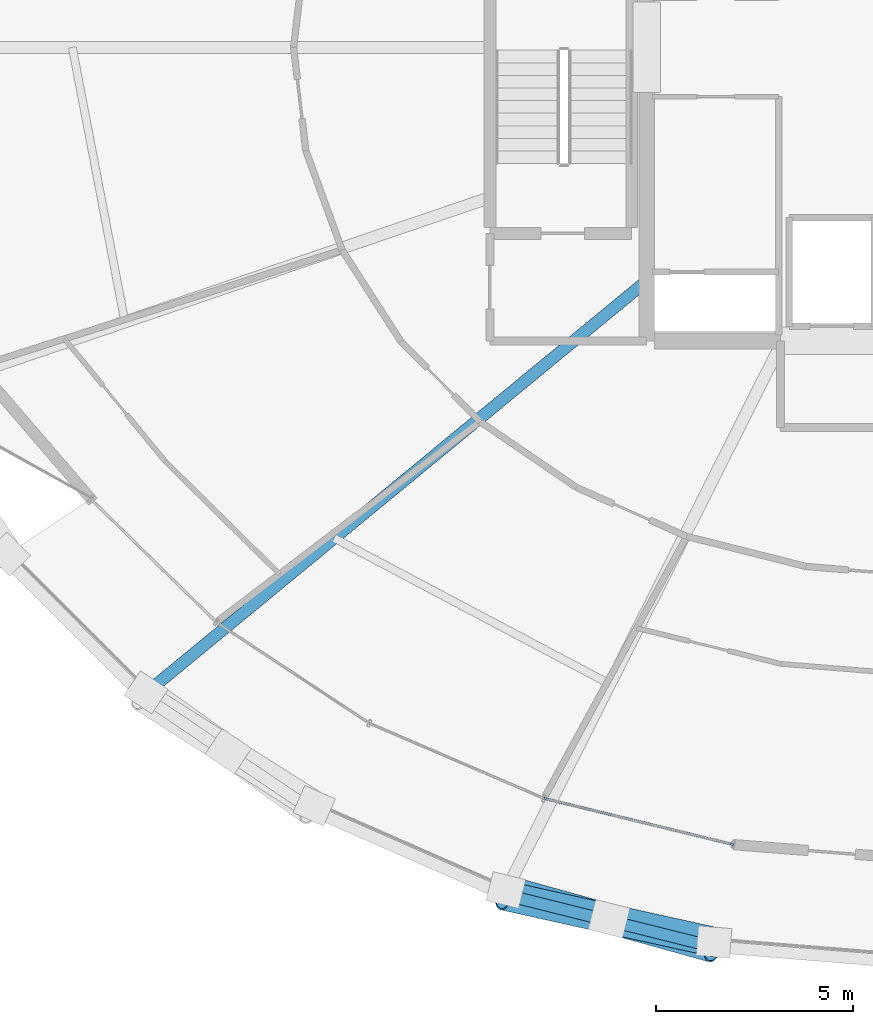
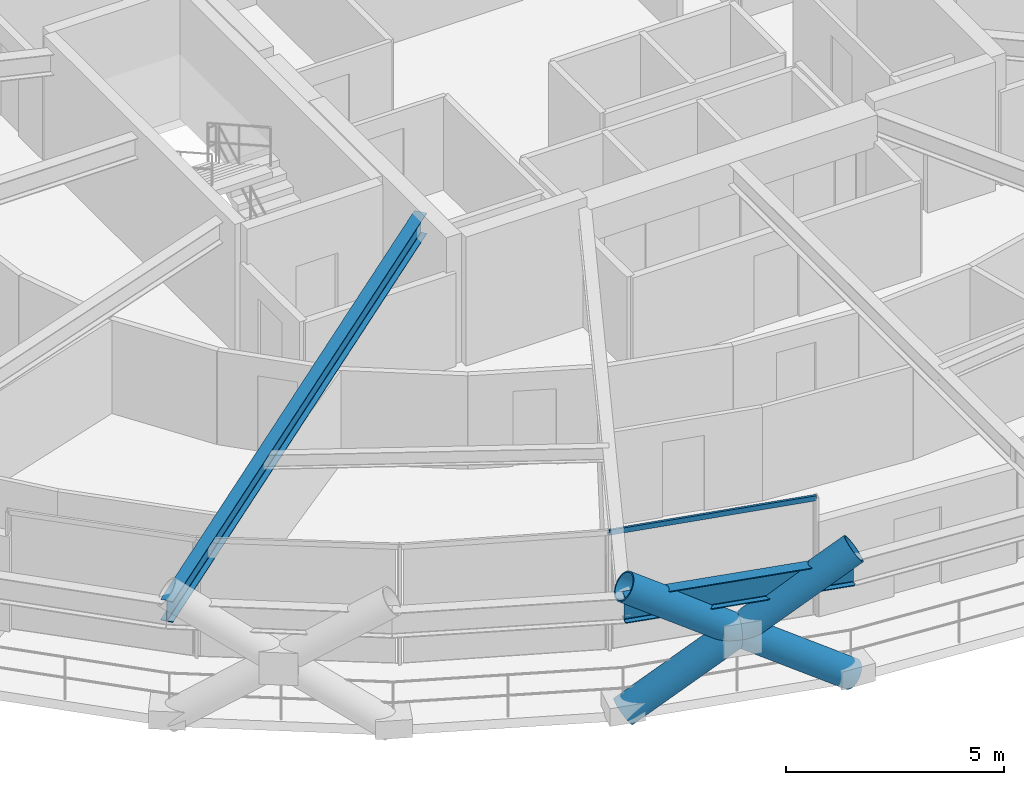
# One storey, part 3 of 19: 4 members, 2 beams, 1 element without a shape of its own.
"""IFC4 building model written with IfcOpenShell, lengths in metres."""

from ifc_helpers import new_model, si_unit, direction, frame, origin, origin_2d, place, context, subcontext, project, spatial, hollow_rectangle, hollow_circle, i_section, extrude, material, layer, layer_set, material_profile, profile_set, type_object, element, aggregate, save


model = new_model("IFC4")

# Units and contexts
model_context = context("Model", 3, precision=1e-05, world=origin(), true_north=direction((0.0, 1.0)))
body_context = subcontext(model_context, "Body", "Model", "MODEL_VIEW")
ifc_project = project(units=[si_unit("LENGTHUNIT", "METRE"), si_unit("AREAUNIT", "SQUARE_METRE"), si_unit("VOLUMEUNIT", "CUBIC_METRE"), si_unit("PLANEANGLEUNIT", "RADIAN"), si_unit("MASSUNIT", "GRAM", prefix="KILO")], contexts=[model_context])

# Site, building, storey
site_placement = place(None, origin())
site = spatial("IfcSite", under=ifc_project, at=site_placement, CompositionType="ELEMENT")
building_placement = place(site_placement, origin())
building = spatial("IfcBuilding", under=site, at=building_placement, Name="Veldorina Hangang Commons", CompositionType="ELEMENT")
storey_placement = place(building_placement, frame((0.0, 0.0, 44.800048828125)))
storey = spatial("IfcBuildingStorey", under=building, at=storey_placement, Name="L10", CompositionType="ELEMENT", Elevation=44.800048828125)

# Beams
ifc_material_1 = material(Name="Steel SM460-TMC", Category="steel")
ifc_material_profile_1 = material_profile(ifc_material_1, i_section(OverallWidth=0.300048828125, OverallDepth=0.587890625, WebThickness=0.011962890625, FlangeThickness=0.02001953125, FilletRadius=0.01806640625, at=origin_2d()), Name="H-588x300x12x20")
ifc_profile_set_1 = profile_set([ifc_material_profile_1], Name="Steel SM460-TMC")
beam_type_1 = type_object("IfcBeamType", Name="BM-FG588", PredefinedType="BEAM", material=ifc_profile_set_1)
beam_1_placement = place(storey_placement, frame((24.800048828125, 18.0732421875, 3.0458984375), z_axis=(-0.772078234701, -0.635527497045, 0.0), x_axis=(0.635527497045, -0.772078234701, 0.0)))
element("IfcBeam", 1, at=beam_1_placement, inside=storey, type_object=beam_type_1, Name="L10 radial floor girder 11", PredefinedType="BEAM", context=body_context, shape_type="SweptSolid", body=[
    extrude(i_section(OverallWidth=0.300048828125, OverallDepth=0.587890625, WebThickness=0.011962890625, FlangeThickness=0.02001953125, FilletRadius=0.01806640625, at=origin_2d()), origin(), (0.0, 0.0, 1.0), 16.568603515625),
])
ifc_material_profile_2 = material_profile(ifc_material_1, i_section(OverallWidth=0.300048828125, OverallDepth=0.699951171875, WebThickness=0.012939453125, FlangeThickness=0.02392578125, FilletRadius=0.02197265625, at=origin_2d()), Name="H-700x300x13x24")
ifc_profile_set_2 = profile_set([ifc_material_profile_2], Name="Steel SM460-TMC")
beam_type_2 = type_object("IfcBeamType", Name="BM-RB700", PredefinedType="BEAM", material=ifc_profile_set_2)
beam_2_placement = place(storey_placement, frame((21.180419921875, 2.49853515625, 2.989990234375), z_axis=(0.970216014854, -0.242241376568, 0.0), x_axis=(0.242241376568, 0.970216014854, 0.0)))
element("IfcBeam", 2, at=beam_2_placement, inside=storey, type_object=beam_type_2, Name="L10 perimeter hoop ring beam 22", PredefinedType="BEAM", context=body_context, shape_type="SweptSolid", body=[
    extrude(i_section(OverallWidth=0.300048828125, OverallDepth=0.699951171875, WebThickness=0.012939453125, FlangeThickness=0.02392578125, FilletRadius=0.02197265625, at=origin_2d()), origin(), (0.0, 0.0, 1.0), 5.466552734375),
])

# Curtain wall, member
ifc_material_2 = material(Name="Glass Low-E Triple IGU", Category="glass")
ifc_layer = layer(ifc_material_2, 0.179931640625)
ifc_layer_set = layer_set([ifc_layer], Name="Glass Low-E Triple IGU")
curtain_wall_type = type_object("IfcCurtainWallType", Name="CW-SYS-Z1", PredefinedType="NOTDEFINED", material=ifc_layer_set)
curtain_wall_placement = place(storey_placement, origin())
curtain_wall = element("IfcCurtainWall", 3, at=curtain_wall_placement, inside=storey, type_object=curtain_wall_type, Name="L10 unitised curtain wall CW-L10-R1", PredefinedType="NOTDEFINED")
ifc_material_3 = material(Name="Aluminium Anodized AA6063-T6", Category="aluminium")
ifc_material_profile_3 = material_profile(ifc_material_3, hollow_rectangle(XDim=0.06005859375, YDim=0.139892578125, WallThickness=0.00341796875, at=origin_2d()), Name="ALU-RHS-140x60x3.5")
ifc_profile_set_3 = profile_set([ifc_material_profile_3], Name="Aluminium Anodized AA6063-T6")
member_type_1 = type_object("IfcMemberType", Name="CW-TRN-140", PredefinedType="USERDEFINED", material=ifc_profile_set_3)
member_1_placement = place(storey_placement, frame((22.19140625, 4.939697265625, 3.260009765625), z_axis=(0.971459654419, -0.237204847835, 0.0), x_axis=(0.237204847835, 0.971459654419, 0.0)))
member_1 = element("IfcMember", 4, at=member_1_placement, type_object=member_type_1, Name="CW-L10-R1 facet 4 transom 1", ObjectType="TRANSOM", PredefinedType="USERDEFINED", context=body_context, shape_type="SweptSolid", body=[
    extrude(hollow_rectangle(XDim=0.06005859375, YDim=0.139892578125, WallThickness=0.00341796875, at=origin_2d()), origin(), (0.0, 0.0, 1.0), 4.94970703125),
])
aggregate(curtain_wall, [member_1])

# Members
ifc_material_profile_4 = material_profile(ifc_material_1, hollow_circle(Radius=0.375, WallThickness=0.035888671875, at=origin_2d()), Name="CHS-750x36")
ifc_profile_set_4 = profile_set([ifc_material_profile_4], Name="Steel SM460-TMC")
member_type_2 = type_object("IfcMemberType", Name="DG-CHS750", PredefinedType="BRACE", material=ifc_profile_set_4)
member_2_placement = place(storey_placement, frame((21.227294921875, 2.611328125, 0.0), z_axis=(0.803926961098, -0.223740736152, 0.551036772099), x_axis=(0.268119641266, 0.96338562267, 0.0)))
element("IfcMember", 5, at=member_2_placement, inside=storey, type_object=member_type_2, Name="L10 continuous perimeter diagrid brace 22", PredefinedType="BRACE", context=body_context, shape_type="SweptSolid", body=[
    extrude(hollow_circle(Radius=0.375, WallThickness=0.035888671875, at=origin_2d()), origin(), (0.0, 0.0, 1.0), 6.532958984375),
])
member_3_placement = place(storey_placement, frame((26.508056640625, 1.2939453125, 0.0), z_axis=(-0.815486896378, 0.180330084121, 0.549965619469), x_axis=(-0.215915741586, -0.976411999381, 0.0)))
element("IfcMember", 6, at=member_3_placement, inside=storey, type_object=member_type_2, Name="L10 split perimeter diagrid lower brace 23", PredefinedType="BRACE", context=body_context, shape_type="SweptSolid", body=[
    extrude(hollow_circle(Radius=0.375, WallThickness=0.035888671875, at=origin_2d()), origin(), (0.0, 0.0, 1.0), 3.26416015625),
])
member_4_placement = place(storey_placement, frame((23.84619140625, 1.882568359375, 1.795166015625), z_axis=(-0.81535927443, 0.18073623632, 0.550021514563), x_axis=(-0.216411580244, -0.976302221618, 0.0)))
element("IfcMember", 7, at=member_4_placement, inside=storey, type_object=member_type_2, Name="L10 split perimeter diagrid upper brace 23", PredefinedType="BRACE", context=body_context, shape_type="SweptSolid", body=[
    extrude(hollow_circle(Radius=0.375, WallThickness=0.035888671875, at=origin_2d()), origin(), (0.0, 0.0, 1.0), 3.281005859375),
])

save(model, "model.ifc")
